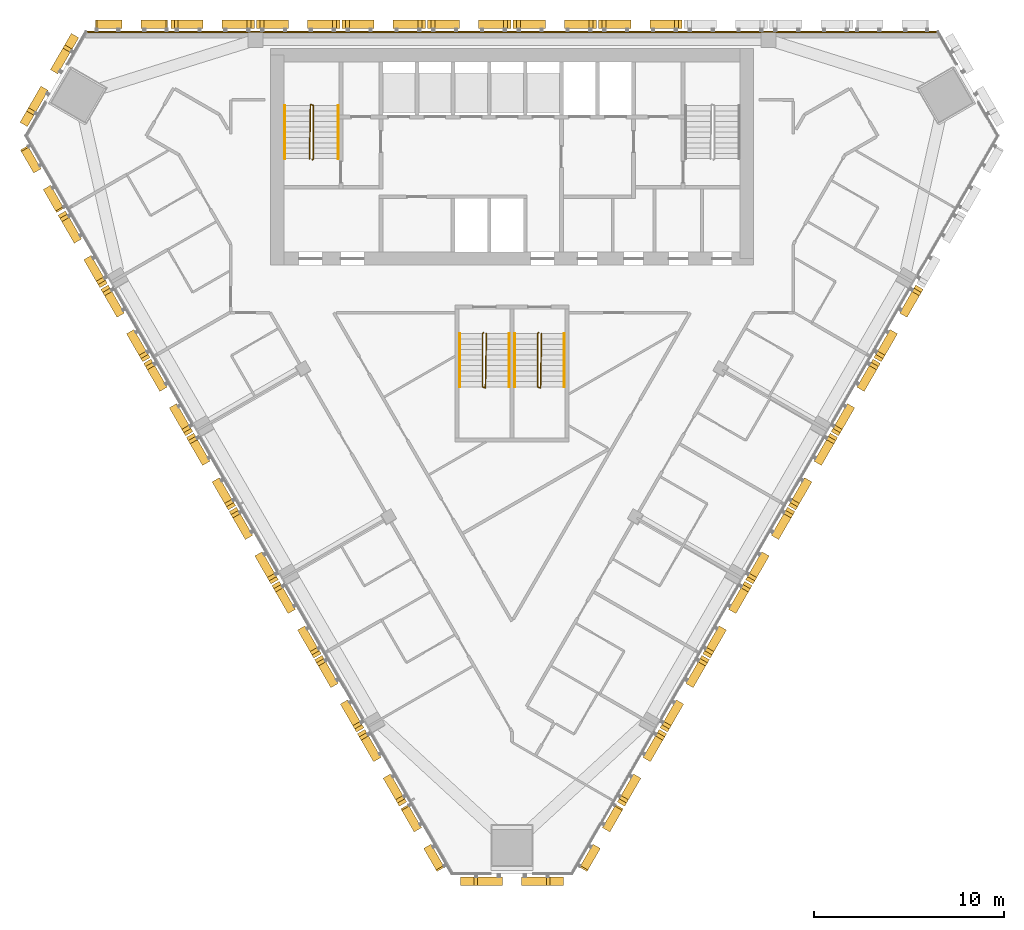
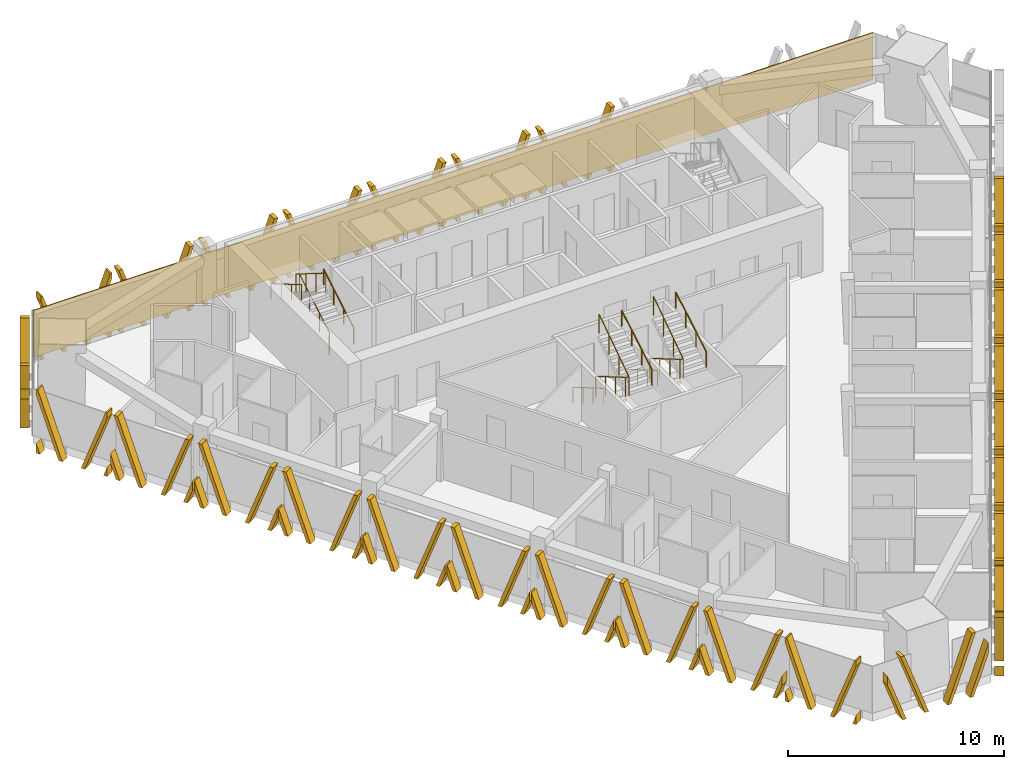
# One storey, part 14 of 16: 27 shading devices, 9 railings, 1 covering.
"""IFC4 building model written with IfcOpenShell, lengths in metres."""

import ifcopenshell
import ifcopenshell.guid

model = None  # the IFC model being written
_history = None  # IfcOwnerHistory: only IFC2X3 demands one
_inside = {}  # id of a spatial element -> (the spatial element, [elements in it])
_under = {}  # id of a project, library or spatial element -> (it, [spatial elements below it])
_declared = {}  # id of a project -> (the project, [libraries it declares])
_typed = {}  # id of a type object -> (the type object, [elements of that type])
_made_of = {}  # id of a material, layer set ... -> (it, [elements and type objects made of it])


def new_model(schema):
    """Start an empty IFC model of exactly this schema.

    Asked for "IFC4X3", IfcOpenShell would pick the latest addendum, in which some entities
    have other attributes; the version numbers below select the first issue.
    IFC2X3 requires an IfcOwnerHistory on every rooted entity: one is made here for all.
    """
    global model, _history
    if schema == "IFC4X3":
        model = ifcopenshell.file(schema_version=(4, 3, 0, 0))
    else:
        model = ifcopenshell.file(schema=schema)
    _inside.clear()
    _under.clear()
    _declared.clear()
    _typed.clear()
    _made_of.clear()
    _history = None
    if model.schema == "IFC2X3":
        org = make("IfcOrganization", Name="unknown")
        user = make(
            "IfcPersonAndOrganization",
            ThePerson=make("IfcPerson", FamilyName="unknown"),
            TheOrganization=org,
        )
        app = make(
            "IfcApplication",
            ApplicationDeveloper=org,
            Version="unknown",
            ApplicationFullName="unknown",
            ApplicationIdentifier="unknown",
        )
        _history = make(
            "IfcOwnerHistory",
            OwningUser=user,
            OwningApplication=app,
            ChangeAction="ADDED",
            CreationDate=0,
        )
    return model


def make(cls, **values):
    """One entity of the class cls with the attributes given. An attribute that is None is left unset."""
    return model.create_entity(
        cls, **{name: value for name, value in values.items() if value is not None}
    )


def rooted(cls, **values):
    """An entity with a GlobalId (a new one), such as an element, a storey or a relation."""
    return make(cls, GlobalId=ifcopenshell.guid.new(), OwnerHistory=_history, **values)


def si_unit(unit_type, name, prefix=None):
    """IfcSIUnit, for example si_unit("LENGTHUNIT", "METRE", prefix="MILLI")."""
    return make("IfcSIUnit", UnitType=unit_type, Prefix=prefix, Name=name)


def assignment(units):
    """IfcUnitAssignment: the units of a project."""
    return None if units is None else make("IfcUnitAssignment", Units=units)


def point(xyz):
    """IfcCartesianPoint."""
    return None if xyz is None else make("IfcCartesianPoint", Coordinates=xyz)


def direction(xyz):
    """IfcDirection."""
    return None if xyz is None else make("IfcDirection", DirectionRatios=xyz)


def frame(location, z_axis=None, x_axis=None):
    """IfcAxis2Placement3D, a coordinate frame: its origin and axes. An axis left out is left unset."""
    return make(
        "IfcAxis2Placement3D",
        Location=point(location),
        Axis=direction(z_axis),
        RefDirection=direction(x_axis),
    )


def frame_2d(location, x_axis=None):
    """IfcAxis2Placement2D, a coordinate frame in the plane: its origin and x axis."""
    return make(
        "IfcAxis2Placement2D", Location=point(location), RefDirection=direction(x_axis)
    )


def origin():
    """The frame at (0, 0, 0) with its axes left unset."""
    return frame((0.0, 0.0, 0.0))


def origin_2d():
    """The frame at (0, 0) in the plane with its x axis left unset."""
    return frame_2d((0.0, 0.0))


def place(relative_to, where):
    """IfcLocalPlacement: puts the frame where relative to a parent placement (None: the world)."""
    return make(
        "IfcLocalPlacement", PlacementRelTo=relative_to, RelativePlacement=where
    )


def context(
    kind, dimensions, precision=None, world=None, true_north=None, identifier=None
):
    """IfcGeometricRepresentationContext, for example the 3D "Model" context."""
    return make(
        "IfcGeometricRepresentationContext",
        ContextIdentifier=identifier,
        ContextType=kind,
        CoordinateSpaceDimension=dimensions,
        Precision=precision,
        WorldCoordinateSystem=world,
        TrueNorth=true_north,
    )


def subcontext(parent, identifier, kind, view, scale=None):
    """IfcGeometricRepresentationSubContext, for example "Body" below "Model"."""
    return make(
        "IfcGeometricRepresentationSubContext",
        ContextIdentifier=identifier,
        ContextType=kind,
        ParentContext=parent,
        TargetScale=scale,
        TargetView=view,
    )


def project(units=None, contexts=None):
    """IfcProject with its units and contexts."""
    return rooted(
        "IfcProject",
        Name="project",
        RepresentationContexts=contexts,
        UnitsInContext=assignment(units),
    )


def spatial(cls, under=None, at=None, **own):
    """A site, building, storey or space (cls), placed at a placement, below another one or the project."""
    s = rooted(cls, ObjectPlacement=at, **own)
    if under is not None:
        _under.setdefault(under.id(), (under, []))[1].append(s)
    return s


def polyline(points):
    """IfcPolyline through the points."""
    return make("IfcPolyline", Points=[point(p) for p in points])


def profile(cls, at=None, kind="AREA", **sizes):
    """A parametric profile (cls). Its sizes go by their IFC names, for example OverallWidth=200.0."""
    return make(cls, ProfileType=kind, Position=at, **sizes)


def rectangle(**sizes):
    """IfcRectangleProfileDef."""
    return profile("IfcRectangleProfileDef", **sizes)


def circle(**sizes):
    """IfcCircleProfileDef."""
    return profile("IfcCircleProfileDef", **sizes)


def outline(outer, holes=None, kind="AREA"):
    """IfcArbitraryClosedProfileDef: a profile drawn as a closed curve; with holes, ...WithVoids."""
    if holes is None:
        return make("IfcArbitraryClosedProfileDef", ProfileType=kind, OuterCurve=outer)
    return make(
        "IfcArbitraryProfileDefWithVoids",
        ProfileType=kind,
        OuterCurve=outer,
        InnerCurves=holes,
    )


def extrude(swept, where, along, depth):
    """IfcExtrudedAreaSolid: the profile swept, set in the frame where, extruded along a direction by depth."""
    return make(
        "IfcExtrudedAreaSolid",
        SweptArea=swept,
        Position=where,
        ExtrudedDirection=direction(along),
        Depth=depth,
    )


def shape(context_of_items, identifier, shape_type, items):
    """IfcShapeRepresentation: the items that make up one representation, for example the "Body"."""
    return make(
        "IfcShapeRepresentation",
        ContextOfItems=context_of_items,
        RepresentationIdentifier=identifier,
        RepresentationType=shape_type,
        Items=items,
    )


def source(mapping_origin, context_of_items, identifier, shape_type, items):
    """IfcRepresentationMap: a shape defined once, which mapped items show again and again."""
    return make(
        "IfcRepresentationMap",
        MappingOrigin=mapping_origin,
        MappedRepresentation=shape(context_of_items, identifier, shape_type, items),
    )


def transform(
    local_origin,
    x_axis=None,
    y_axis=None,
    z_axis=None,
    scale=None,
    scale2=None,
    scale3=None,
    uniform=True,
):
    """IfcCartesianTransformationOperator3D, or its non-uniform kind. x_axis, y_axis, z_axis: its Axis1, 2, 3."""
    if uniform:
        return make(
            "IfcCartesianTransformationOperator3D",
            Axis1=direction(x_axis),
            Axis2=direction(y_axis),
            LocalOrigin=point(local_origin),
            Scale=scale,
            Axis3=direction(z_axis),
        )
    return make(
        "IfcCartesianTransformationOperator3DnonUniform",
        Axis1=direction(x_axis),
        Axis2=direction(y_axis),
        LocalOrigin=point(local_origin),
        Scale=scale,
        Axis3=direction(z_axis),
        Scale2=scale2,
        Scale3=scale3,
    )


def mapped(mapping_source, mapping_target):
    """IfcMappedItem: shows the shape of a source again, moved by a transform."""
    return make(
        "IfcMappedItem", MappingSource=mapping_source, MappingTarget=mapping_target
    )


def material(Name=None, Category=None):
    """IfcMaterial."""
    return make("IfcMaterial", Name=Name, Category=Category)


def layer(
    of_material, thickness, ventilated=None, Name=None, Category=None, Priority=None
):
    """IfcMaterialLayer: one layer of a wall or slab, of a material (None: an air gap)."""
    return make(
        "IfcMaterialLayer",
        Material=of_material,
        LayerThickness=thickness,
        IsVentilated=ventilated,
        Name=Name,
        Category=Category,
        Priority=Priority,
    )


def layer_set(layers, Name=None):
    """IfcMaterialLayerSet."""
    return make("IfcMaterialLayerSet", MaterialLayers=layers, LayerSetName=Name)


def made_of(thing, what):
    """Note that an element or type object is made of a material, layer set ...; save() writes the relation."""
    if what is not None:
        _made_of.setdefault(what.id(), (what, []))[1].append(thing)
    return thing


def type_object(cls, material=None, **own):
    """A type object (cls), such as IfcWallType, which elements share."""
    return made_of(rooted(cls, **own), material)


def element(
    cls,
    number,
    at=None,
    inside=None,
    cuts=None,
    type_object=None,
    material=None,
    context=None,
    identifier="Body",
    shape_type=None,
    held_by="IfcProductDefinitionShape",
    body=None,
    shapes=None,
    **own,
):
    """One element of the class cls, such as IfcWall. Its Tag is "e" and its number.

    at: its placement. inside: the storey or other place that contains it. cuts: it is an
    opening in that element (IfcRelVoidsElement). A single representation is given by context,
    identifier, shape_type and body (its items); several are given by shapes. held_by: the class
    of the entity that holds the representations. save() writes the other relations.
    """
    e = rooted(cls, Tag="e%d" % number, ObjectPlacement=at, **own)
    if body is not None:
        shapes = [shape(context, identifier, shape_type, body)]
    if shapes is not None:
        e.Representation = make(held_by, Representations=shapes)
    if inside is not None:
        _inside.setdefault(inside.id(), (inside, []))[1].append(e)
    if cuts is not None:
        rooted(
            "IfcRelVoidsElement", RelatingBuildingElement=cuts, RelatedOpeningElement=e
        )
    if type_object is not None:
        _typed.setdefault(type_object.id(), (type_object, []))[1].append(e)
    return made_of(e, material)


def aggregate(whole, parts):
    """IfcRelAggregates: a whole, such as a stair, and the parts it consists of."""
    return rooted("IfcRelAggregates", RelatingObject=whole, RelatedObjects=parts)


def save(model, path):
    """Write the relations noted so far, then the file.

    IfcRelAggregates (storeys below a building ...), IfcRelContainedInSpatialStructure (elements
    in a storey), IfcRelDefinesByType, IfcRelAssociatesMaterial and IfcRelDeclares: one each for
    every whole, place, type object, material and project.
    """
    for whole, parts in _under.values():
        aggregate(whole, parts)
    for where, things in _inside.values():
        rooted(
            "IfcRelContainedInSpatialStructure",
            RelatedElements=things,
            RelatingStructure=where,
        )
    for kind, things in _typed.values():
        rooted("IfcRelDefinesByType", RelatedObjects=things, RelatingType=kind)
    for what, things in _made_of.values():
        rooted("IfcRelAssociatesMaterial", RelatedObjects=things, RelatingMaterial=what)
    for by, libraries in _declared.values():
        rooted("IfcRelDeclares", RelatingContext=by, RelatedDefinitions=libraries)
    model.write(path)


model = new_model("IFC4")

# Units and contexts
model_context = context("Model", 3, precision=1e-05, world=origin(), true_north=direction((0.0, 1.0)))
body_context = subcontext(model_context, "Body", "Model", "MODEL_VIEW")
ifc_project = project(units=[si_unit("LENGTHUNIT", "METRE"), si_unit("AREAUNIT", "SQUARE_METRE"), si_unit("VOLUMEUNIT", "CUBIC_METRE"), si_unit("PLANEANGLEUNIT", "RADIAN"), si_unit("MASSUNIT", "GRAM", prefix="KILO")], contexts=[model_context])

# Site, building, storey
site_placement = place(None, origin())
site = spatial("IfcSite", under=ifc_project, at=site_placement, CompositionType="ELEMENT")
building_placement = place(site_placement, origin())
building = spatial("IfcBuilding", under=site, at=building_placement, Name="Altiplano Prism Tower", CompositionType="ELEMENT")
storey_placement = place(building_placement, frame((0.0, 0.0, 198.0)))
storey = spatial("IfcBuildingStorey", under=building, at=storey_placement, Name="L51", CompositionType="ELEMENT", Elevation=198.0)

# Railings
ifc_material_1 = material(Name="Steel S355", Category="steel")
railing_type_1 = type_object("IfcRailingType", Name="Stair guard 1100", PredefinedType="GUARDRAIL", material=ifc_material_1)
railing_1_placement = place(storey_placement, frame((74.5, 98.25, 0.0)))
element("IfcRailing", 1, at=railing_1_placement, inside=storey, type_object=railing_type_1, Name="L51 ST1 stair guard 1", PredefinedType="GUARDRAIL", context=body_context, shape_type="SweptSolid", body=[
    extrude(circle(Radius=0.02392578125, at=origin_2d()), frame((0.0, 0.0, 1.076171875), z_axis=(0.280808744504, 0.280808744504, 0.917765164963), x_axis=(-0.707106781187, 0.707106781187, 0.0)), (0.0, 0.0, 1.0), 0.17822265625),
    extrude(circle(Radius=0.02392578125, at=origin_2d()), frame((0.050048828125, 0.050048828125, 1.23974609375), z_axis=(0.0, 0.863360870873, 0.504586966384), x_axis=(-1.0, 0.0, 0.0)), (0.0, 0.0, 1.0), 3.2431640625),
    extrude(circle(Radius=0.02392578125, at=origin_2d()), frame((0.050048828125, 2.85009765625, 2.8759765625), z_axis=(-0.949145278916, 0.314838433982, 0.0), x_axis=(-0.314838433982, -0.949145278916, 0.0)), (0.0, 0.0, 1.0), 0.158203125),
    extrude(circle(Radius=0.02392578125, at=origin_2d()), frame((-0.10009765625, 2.89990234375, 2.8759765625), z_axis=(-0.01477401265, -0.845377694409, 0.533964682676), x_axis=(0.999847325713, -0.01747355902, 0.0)), (0.0, 0.0, 1.0), 3.37109375),
    extrude(circle(Radius=0.02099609375, at=origin_2d()), origin(), (0.0, 0.0, 1.0), 1.052001953125),
    extrude(circle(Radius=0.02099609375, at=origin_2d()), frame((0.050048828125, 0.050048828125, 0.16357421875)), (0.0, 0.0, 1.0), 1.052001953125),
    extrude(circle(Radius=0.02099609375, at=origin_2d()), frame((0.050048828125, 0.9833984375, 0.708984375)), (0.0, 0.0, 1.0), 1.052001953125),
    extrude(circle(Radius=0.02099609375, at=origin_2d()), frame((0.050048828125, 1.916748046875, 1.254638671875)), (0.0, 0.0, 1.0), 1.052001953125),
    extrude(circle(Radius=0.02099609375, at=origin_2d()), frame((0.050048828125, 2.85009765625, 1.800048828125)), (0.0, 0.0, 1.0), 1.052001953125),
    extrude(circle(Radius=0.02099609375, at=origin_2d()), frame((-0.10009765625, 2.89990234375, 1.800048828125)), (0.0, 0.0, 1.0), 1.052001953125),
    extrude(circle(Radius=0.02099609375, at=origin_2d()), frame((-0.11669921875, 1.949951171875, 2.400146484375)), (0.0, 0.0, 1.0), 1.052001953125),
    extrude(circle(Radius=0.02099609375, at=origin_2d()), frame((-0.13330078125, 1.0, 3.0)), (0.0, 0.0, 1.0), 1.052001953125),
    extrude(circle(Radius=0.02099609375, at=origin_2d()), frame((-0.14990234375, 0.050048828125, 3.60009765625)), (0.0, 0.0, 1.0), 1.052001953125),
])
railing_2_placement = place(storey_placement, frame((83.5, 89.14990234375, 0.0)))
element("IfcRailing", 2, at=railing_2_placement, inside=storey, type_object=railing_type_1, Name="L51 ST3A stair guard 1", PredefinedType="GUARDRAIL", context=body_context, shape_type="SweptSolid", body=[
    extrude(circle(Radius=0.02392578125, at=origin_2d()), frame((0.0, 0.0, 1.076171875), z_axis=(-0.280916556609, -0.279546231943, 0.91811752648), x_axis=(0.705375805398, -0.708833529934, 0.0)), (0.0, 0.0, 1.0), 0.17822265625),
    extrude(circle(Radius=0.02392578125, at=origin_2d()), frame((-0.050048828125, -0.0498046875, 1.23974609375), z_axis=(0.0, -0.863360870873, 0.504586966384), x_axis=(1.0, 0.0, 0.0)), (0.0, 0.0, 1.0), 3.2431640625),
    extrude(circle(Radius=0.02392578125, at=origin_2d()), frame((-0.050048828125, -2.849853515625, 2.8759765625), z_axis=(0.948683298051, -0.316227766017, 0.0), x_axis=(0.316227766017, 0.948683298051, 0.0)), (0.0, 0.0, 1.0), 0.158203125),
    extrude(circle(Radius=0.02392578125, at=origin_2d()), frame((0.10009765625, -2.89990234375, 2.8759765625), z_axis=(0.014773108175, 0.84539835705, 0.533931993021), x_axis=(-0.999847351862, 0.017472062685, 0.0)), (0.0, 0.0, 1.0), 3.371337890625),
    extrude(circle(Radius=0.02099609375, at=origin_2d()), origin(), (0.0, 0.0, 1.0), 1.052001953125),
    extrude(circle(Radius=0.02099609375, at=origin_2d()), frame((-0.050048828125, -0.0498046875, 0.16357421875)), (0.0, 0.0, 1.0), 1.052001953125),
    extrude(circle(Radius=0.02099609375, at=origin_2d()), frame((-0.050048828125, -0.983154296875, 0.708984375)), (0.0, 0.0, 1.0), 1.052001953125),
    extrude(circle(Radius=0.02099609375, at=origin_2d()), frame((-0.050048828125, -1.91650390625, 1.254638671875)), (0.0, 0.0, 1.0), 1.052001953125),
    extrude(circle(Radius=0.02099609375, at=origin_2d()), frame((-0.050048828125, -2.849853515625, 1.800048828125)), (0.0, 0.0, 1.0), 1.052001953125),
    extrude(circle(Radius=0.02099609375, at=origin_2d()), frame((0.10009765625, -2.89990234375, 1.800048828125)), (0.0, 0.0, 1.0), 1.052001953125),
    extrude(circle(Radius=0.02099609375, at=origin_2d()), frame((0.11669921875, -1.949951171875, 2.400146484375)), (0.0, 0.0, 1.0), 1.052001953125),
    extrude(circle(Radius=0.02099609375, at=origin_2d()), frame((0.13330078125, -0.999755859375, 3.0)), (0.0, 0.0, 1.0), 1.052001953125),
    extrude(circle(Radius=0.02099609375, at=origin_2d()), frame((0.14990234375, -0.0498046875, 3.60009765625)), (0.0, 0.0, 1.0), 1.052001953125),
])
railing_3_placement = place(storey_placement, frame((86.39990234375, 89.14990234375, 0.0)))
element("IfcRailing", 3, at=railing_3_placement, inside=storey, type_object=railing_type_1, Name="L51 ST3B stair guard 1", PredefinedType="GUARDRAIL", context=body_context, shape_type="SweptSolid", body=[
    extrude(circle(Radius=0.02392578125, at=origin_2d()), frame((0.0, 0.0, 1.076171875), z_axis=(-0.279653641804, -0.279653641804, 0.918470294159), x_axis=(0.707106781187, -0.707106781187, 0.0)), (0.0, 0.0, 1.0), 0.177978515625),
    extrude(circle(Radius=0.02392578125, at=origin_2d()), frame((-0.0498046875, -0.0498046875, 1.23974609375), z_axis=(0.0, -0.863360870873, 0.504586966384), x_axis=(1.0, 0.0, 0.0)), (0.0, 0.0, 1.0), 3.2431640625),
    extrude(circle(Radius=0.02392578125, at=origin_2d()), frame((-0.0498046875, -2.849853515625, 2.8759765625), z_axis=(0.948528701346, -0.316691178788, 0.0), x_axis=(0.316691178788, 0.948528701346, 0.0)), (0.0, 0.0, 1.0), 0.157958984375),
    extrude(circle(Radius=0.02392578125, at=origin_2d()), frame((0.10009765625, -2.89990234375, 2.8759765625), z_axis=(0.014845509451, 0.845397450405, 0.533931420407), x_axis=(-0.999845851991, 0.017557683712, 0.0)), (0.0, 0.0, 1.0), 3.371337890625),
    extrude(circle(Radius=0.02099609375, at=origin_2d()), origin(), (0.0, 0.0, 1.0), 1.052001953125),
    extrude(circle(Radius=0.02099609375, at=origin_2d()), frame((-0.0498046875, -0.0498046875, 0.16357421875)), (0.0, 0.0, 1.0), 1.052001953125),
    extrude(circle(Radius=0.02099609375, at=origin_2d()), frame((-0.0498046875, -0.983154296875, 0.708984375)), (0.0, 0.0, 1.0), 1.052001953125),
    extrude(circle(Radius=0.02099609375, at=origin_2d()), frame((-0.0498046875, -1.91650390625, 1.254638671875)), (0.0, 0.0, 1.0), 1.052001953125),
    extrude(circle(Radius=0.02099609375, at=origin_2d()), frame((-0.0498046875, -2.849853515625, 1.800048828125)), (0.0, 0.0, 1.0), 1.052001953125),
    extrude(circle(Radius=0.02099609375, at=origin_2d()), frame((0.10009765625, -2.89990234375, 1.800048828125)), (0.0, 0.0, 1.0), 1.052001953125),
    extrude(circle(Radius=0.02099609375, at=origin_2d()), frame((0.11669921875, -1.949951171875, 2.400146484375)), (0.0, 0.0, 1.0), 1.052001953125),
    extrude(circle(Radius=0.02099609375, at=origin_2d()), frame((0.133544921875, -0.999755859375, 3.0)), (0.0, 0.0, 1.0), 1.052001953125),
    extrude(circle(Radius=0.02099609375, at=origin_2d()), frame((0.150146484375, -0.0498046875, 3.60009765625)), (0.0, 0.0, 1.0), 1.052001953125),
])
railing_type_2 = type_object("IfcRailingType", Name="Stair handrail 900", PredefinedType="HANDRAIL", material=ifc_material_1)
railing_4_placement = place(storey_placement, frame((75.85009765625, 98.300048828125, 0.16357421875)))
element("IfcRailing", 4, at=railing_4_placement, inside=storey, type_object=railing_type_2, Name="L51 ST1 stair handrail 1", PredefinedType="HANDRAIL", context=body_context, shape_type="SweptSolid", body=[
    extrude(circle(Radius=0.02392578125, at=origin_2d()), frame((0.0, 0.0, 0.8759765625), z_axis=(0.0, 0.863360870873, 0.504586966384), x_axis=(-1.0, 0.0, 0.0)), (0.0, 0.0, 1.0), 3.2431640625),
    extrude(circle(Radius=0.02099609375, at=origin_2d()), origin(), (0.0, 0.0, 1.0), 0.851806640625),
    extrude(circle(Radius=0.02099609375, at=origin_2d()), frame((0.0, 0.933349609375, 0.54541015625)), (0.0, 0.0, 1.0), 0.851806640625),
    extrude(circle(Radius=0.02099609375, at=origin_2d()), frame((0.0, 1.86669921875, 1.091064453125)), (0.0, 0.0, 1.0), 0.851806640625),
    extrude(circle(Radius=0.02099609375, at=origin_2d()), frame((0.0, 2.800048828125, 1.636474609375)), (0.0, 0.0, 1.0), 0.851806640625),
])
for number, where, name in (
    (5, (73.050048828125, 101.10009765625, 1.963623046875), "L51 ST1 stair handrail 2"),
    (6, (82.25, 89.10009765625, 0.16357421875), "L51 ST3A stair handrail 1"),
):
    element("IfcRailing", number, at=place(storey_placement, frame(where)), inside=storey, type_object=railing_type_2, Name=name, PredefinedType="HANDRAIL", context=body_context, shape_type="SweptSolid", body=[
        extrude(circle(Radius=0.02392578125, at=origin_2d()), frame((0.0, 0.0, 0.8759765625), z_axis=(0.0, -0.863360870873, 0.504586966384), x_axis=(1.0, 0.0, 0.0)), (0.0, 0.0, 1.0), 3.2431640625),
        extrude(circle(Radius=0.02099609375, at=origin_2d()), origin(), (0.0, 0.0, 1.0), 0.851806640625),
        extrude(circle(Radius=0.02099609375, at=origin_2d()), frame((0.0, -0.933349609375, 0.54541015625)), (0.0, 0.0, 1.0), 0.851806640625),
        extrude(circle(Radius=0.02099609375, at=origin_2d()), frame((0.0, -1.86669921875, 1.091064453125)), (0.0, 0.0, 1.0), 0.851806640625),
        extrude(circle(Radius=0.02099609375, at=origin_2d()), frame((0.0, -2.800048828125, 1.636474609375)), (0.0, 0.0, 1.0), 0.851806640625),
    ])
railing_5_placement = place(storey_placement, frame((84.85009765625, 86.300048828125, 1.963623046875)))
element("IfcRailing", 7, at=railing_5_placement, inside=storey, type_object=railing_type_2, Name="L51 ST3A stair handrail 2", PredefinedType="HANDRAIL", context=body_context, shape_type="SweptSolid", body=[
    extrude(circle(Radius=0.02392578125, at=origin_2d()), frame((0.0, 0.0, 0.8759765625), z_axis=(0.0, 0.863360870873, 0.504586966384), x_axis=(-1.0, 0.0, 0.0)), (0.0, 0.0, 1.0), 3.2431640625),
    extrude(circle(Radius=0.02099609375, at=origin_2d()), origin(), (0.0, 0.0, 1.0), 0.851806640625),
    extrude(circle(Radius=0.02099609375, at=origin_2d()), frame((0.0, 0.933349609375, 0.54541015625)), (0.0, 0.0, 1.0), 0.851806640625),
    extrude(circle(Radius=0.02099609375, at=origin_2d()), frame((0.0, 1.86669921875, 1.091064453125)), (0.0, 0.0, 1.0), 0.851806640625),
    extrude(circle(Radius=0.02099609375, at=origin_2d()), frame((0.0, 2.800048828125, 1.636474609375)), (0.0, 0.0, 1.0), 0.851806640625),
])
railing_6_placement = place(storey_placement, frame((85.14990234375, 89.10009765625, 0.16357421875)))
element("IfcRailing", 8, at=railing_6_placement, inside=storey, type_object=railing_type_2, Name="L51 ST3B stair handrail 1", PredefinedType="HANDRAIL", context=body_context, shape_type="SweptSolid", body=[
    extrude(circle(Radius=0.02392578125, at=origin_2d()), frame((0.0, 0.0, 0.8759765625), z_axis=(0.0, -0.863360870873, 0.504586966384), x_axis=(1.0, 0.0, 0.0)), (0.0, 0.0, 1.0), 3.2431640625),
    extrude(circle(Radius=0.02099609375, at=origin_2d()), origin(), (0.0, 0.0, 1.0), 0.851806640625),
    extrude(circle(Radius=0.02099609375, at=origin_2d()), frame((0.0, -0.933349609375, 0.54541015625)), (0.0, 0.0, 1.0), 0.851806640625),
    extrude(circle(Radius=0.02099609375, at=origin_2d()), frame((0.0, -1.86669921875, 1.091064453125)), (0.0, 0.0, 1.0), 0.851806640625),
    extrude(circle(Radius=0.02099609375, at=origin_2d()), frame((0.0, -2.800048828125, 1.636474609375)), (0.0, 0.0, 1.0), 0.851806640625),
])
railing_7_placement = place(storey_placement, frame((87.75, 86.300048828125, 1.963623046875)))
element("IfcRailing", 9, at=railing_7_placement, inside=storey, type_object=railing_type_2, Name="L51 ST3B stair handrail 2", PredefinedType="HANDRAIL", context=body_context, shape_type="SweptSolid", body=[
    extrude(circle(Radius=0.02392578125, at=origin_2d()), frame((0.0, 0.0, 0.8759765625), z_axis=(0.0, 0.863360870873, 0.504586966384), x_axis=(-1.0, 0.0, 0.0)), (0.0, 0.0, 1.0), 3.2431640625),
    extrude(circle(Radius=0.02099609375, at=origin_2d()), origin(), (0.0, 0.0, 1.0), 0.851806640625),
    extrude(circle(Radius=0.02099609375, at=origin_2d()), frame((0.0, 0.933349609375, 0.54541015625)), (0.0, 0.0, 1.0), 0.851806640625),
    extrude(circle(Radius=0.02099609375, at=origin_2d()), frame((0.0, 1.86669921875, 1.091064453125)), (0.0, 0.0, 1.0), 0.851806640625),
    extrude(circle(Radius=0.02099609375, at=origin_2d()), frame((0.0, 2.800048828125, 1.636474609375)), (0.0, 0.0, 1.0), 0.851806640625),
])

# Covering
ifc_material_2 = material(Name="Warm limestone cast stone", Category="masonry")
ifc_layer = layer(ifc_material_2, 0.06005859375)
ifc_layer_set = layer_set([ifc_layer], Name="Warm limestone cast stone")
covering_type = type_object("IfcCoveringType", Name="Stone cladding 60", PredefinedType="CLADDING", material=ifc_layer_set)
covering_placement = place(storey_placement, frame((62.56982421875, 104.969970703125, 0.0), z_axis=(0.0, 0.0, 1.0), x_axis=(1.0, 0.0, 0.0)))
element("IfcCovering", 10, at=covering_placement, inside=storey, type_object=covering_type, Name="Stone cladding north face L51", PredefinedType="CLADDING", context=body_context, shape_type="SweptSolid", body=[
    extrude(rectangle(XDim=44.8603515625, YDim=0.06005859375, at=frame_2d((22.43017578125, 0.0))), origin(), (0.0, 0.0, 1.0), 2.64990234375),
])

# Shading devices
shading_device_type_1 = type_object("IfcShadingDeviceType", Name="Stone fin panel, standard unit", PredefinedType="USERDEFINED", material=ifc_material_2)
shared_shape_1 = source(origin(), body_context, "Body", "SweptSolid", [
    extrude(outline(polyline([(-2.199951171875, 1.373779296875), (-2.199951171875, 0.82421875), (-1.89990234375, 0.0), (-1.699951171875, 0.0), (-2.199951171875, 1.373779296875)])), frame((0.0, -0.14990234375, 0.0), z_axis=(0.0, -1.0, 0.0), x_axis=(1.0, 0.0, 0.0)), (0.0, 0.0, 1.0), 0.4501953125),
    extrude(outline(polyline([(-2.01025390625, 3.60009765625), (-0.699951171875, 0.0), (-0.5, 0.0), (-1.810302734375, 3.60009765625), (-2.01025390625, 3.60009765625)])), frame((0.0, -0.14990234375, 0.0), z_axis=(0.0, -1.0, 0.0), x_axis=(1.0, 0.0, 0.0)), (0.0, 0.0, 1.0), 0.4501953125),
    extrude(outline(polyline([(1.810302734375, 3.60009765625), (0.5, 0.0), (0.699951171875, 0.0), (2.01025390625, 3.60009765625), (1.810302734375, 3.60009765625)])), frame((0.0, -0.14990234375, 0.0), z_axis=(0.0, -1.0, 0.0), x_axis=(1.0, 0.0, 0.0)), (0.0, 0.0, 1.0), 0.4501953125),
    extrude(outline(polyline([(2.199951171875, 0.82421875), (2.199951171875, 1.373779296875), (1.699951171875, 0.0), (1.89990234375, 0.0), (2.199951171875, 0.82421875)])), frame((0.0, -0.14990234375, 0.0), z_axis=(0.0, -1.0, 0.0), x_axis=(1.0, 0.0, 0.0)), (0.0, 0.0, 1.0), 0.4501953125),
])
shading_device_1_placement = place(storey_placement, origin())
element("IfcShadingDevice", 11, at=shading_device_1_placement, inside=storey, type_object=shading_device_type_1, Name="Fin L51 north face 4", ObjectType="FIN", PredefinedType="USERDEFINED", context=body_context, shape_type="MappedRepresentation", body=[
    mapped(shared_shape_1, transform((91.75, 105.0, -0.449951171875), x_axis=(-1.0, 0.0, 0.0), y_axis=(0.0, -1.0, 0.0), z_axis=(0.0, 0.0, 1.0))),
])
shading_device_2_placement = place(storey_placement, origin())
element("IfcShadingDevice", 12, at=shading_device_2_placement, inside=storey, type_object=shading_device_type_1, Name="Fin L51 north face 5", ObjectType="FIN", PredefinedType="USERDEFINED", context=body_context, shape_type="MappedRepresentation", body=[
    mapped(shared_shape_1, transform((87.25, 105.0, -0.449951171875), x_axis=(-1.0, 0.0, 0.0), y_axis=(0.0, -1.0, 0.0), z_axis=(0.0, 0.0, 1.0))),
])
shading_device_3_placement = place(storey_placement, origin())
element("IfcShadingDevice", 13, at=shading_device_3_placement, inside=storey, type_object=shading_device_type_1, Name="Fin L51 north face 6", ObjectType="FIN", PredefinedType="USERDEFINED", context=body_context, shape_type="MappedRepresentation", body=[
    mapped(shared_shape_1, transform((82.75, 105.0, -0.449951171875), x_axis=(-1.0, 0.0, 0.0), y_axis=(0.0, -1.0, 0.0), z_axis=(0.0, 0.0, 1.0))),
])
shading_device_4_placement = place(storey_placement, origin())
element("IfcShadingDevice", 14, at=shading_device_4_placement, inside=storey, type_object=shading_device_type_1, Name="Fin L51 north face 7", ObjectType="FIN", PredefinedType="USERDEFINED", context=body_context, shape_type="MappedRepresentation", body=[
    mapped(shared_shape_1, transform((78.25, 105.0, -0.449951171875), x_axis=(-1.0, 0.0, 0.0), y_axis=(0.0, -1.0, 0.0), z_axis=(0.0, 0.0, 1.0))),
])
shading_device_5_placement = place(storey_placement, origin())
element("IfcShadingDevice", 15, at=shading_device_5_placement, inside=storey, type_object=shading_device_type_1, Name="Fin L51 north face 8", ObjectType="FIN", PredefinedType="USERDEFINED", context=body_context, shape_type="MappedRepresentation", body=[
    mapped(shared_shape_1, transform((73.75, 105.0, -0.449951171875), x_axis=(-1.0, 0.0, 0.0), y_axis=(0.0, -1.0, 0.0), z_axis=(0.0, 0.0, 1.0))),
])
shading_device_6_placement = place(storey_placement, origin())
element("IfcShadingDevice", 16, at=shading_device_6_placement, inside=storey, type_object=shading_device_type_1, Name="Fin L51 north face 9", ObjectType="FIN", PredefinedType="USERDEFINED", context=body_context, shape_type="MappedRepresentation", body=[
    mapped(shared_shape_1, transform((69.25, 105.0, -0.449951171875), x_axis=(-1.0, 0.0, 0.0), y_axis=(0.0, -1.0, 0.0), z_axis=(0.0, 0.0, 1.0))),
])
shading_device_7_placement = place(storey_placement, origin())
element("IfcShadingDevice", 17, at=shading_device_7_placement, inside=storey, type_object=shading_device_type_1, Name="Fin L51 south-west face 2", ObjectType="FIN", PredefinedType="USERDEFINED", context=body_context, shape_type="MappedRepresentation", body=[
    mapped(shared_shape_1, transform((62.738037109375, 93.720947265625, -0.449951171875), x_axis=(0.499999990992, -0.866025408985, 0.0), y_axis=(0.866025408985, 0.499999990992, 0.0), z_axis=(0.0, 0.0, 1.0))),
])
shading_device_8_placement = place(storey_placement, origin())
element("IfcShadingDevice", 18, at=shading_device_8_placement, inside=storey, type_object=shading_device_type_1, Name="Fin L51 south-west face 3", ObjectType="FIN", PredefinedType="USERDEFINED", context=body_context, shape_type="MappedRepresentation", body=[
    mapped(shared_shape_1, transform((64.988037109375, 89.82373046875, -0.449951171875), x_axis=(0.499999990992, -0.866025408985, 0.0), y_axis=(0.866025408985, 0.499999990992, 0.0), z_axis=(0.0, 0.0, 1.0))),
])
shading_device_9_placement = place(storey_placement, origin())
element("IfcShadingDevice", 19, at=shading_device_9_placement, inside=storey, type_object=shading_device_type_1, Name="Fin L51 south-west face 4", ObjectType="FIN", PredefinedType="USERDEFINED", context=body_context, shape_type="MappedRepresentation", body=[
    mapped(shared_shape_1, transform((67.238037109375, 85.926513671875, -0.449951171875), x_axis=(0.499999990992, -0.866025408985, 0.0), y_axis=(0.866025408985, 0.499999990992, 0.0), z_axis=(0.0, 0.0, 1.0))),
])
shading_device_10_placement = place(storey_placement, origin())
element("IfcShadingDevice", 20, at=shading_device_10_placement, inside=storey, type_object=shading_device_type_1, Name="Fin L51 south-west face 5", ObjectType="FIN", PredefinedType="USERDEFINED", context=body_context, shape_type="MappedRepresentation", body=[
    mapped(shared_shape_1, transform((69.488037109375, 82.029541015625, -0.449951171875), x_axis=(0.499999990992, -0.866025408985, 0.0), y_axis=(0.866025408985, 0.499999990992, 0.0), z_axis=(0.0, 0.0, 1.0))),
])
shading_device_11_placement = place(storey_placement, origin())
element("IfcShadingDevice", 21, at=shading_device_11_placement, inside=storey, type_object=shading_device_type_1, Name="Fin L51 south-west face 6", ObjectType="FIN", PredefinedType="USERDEFINED", context=body_context, shape_type="MappedRepresentation", body=[
    mapped(shared_shape_1, transform((71.738037109375, 78.13232421875, -0.449951171875), x_axis=(0.499999990992, -0.866025408985, 0.0), y_axis=(0.866025408985, 0.499999990992, 0.0), z_axis=(0.0, 0.0, 1.0))),
])
shading_device_12_placement = place(storey_placement, origin())
element("IfcShadingDevice", 22, at=shading_device_12_placement, inside=storey, type_object=shading_device_type_1, Name="Fin L51 south-west face 7", ObjectType="FIN", PredefinedType="USERDEFINED", context=body_context, shape_type="MappedRepresentation", body=[
    mapped(shared_shape_1, transform((73.988037109375, 74.2353515625, -0.449951171875), x_axis=(0.499999990992, -0.866025408985, 0.0), y_axis=(0.866025408985, 0.499999990992, 0.0), z_axis=(0.0, 0.0, 1.0))),
])
shading_device_13_placement = place(storey_placement, origin())
element("IfcShadingDevice", 23, at=shading_device_13_placement, inside=storey, type_object=shading_device_type_1, Name="Fin L51 south-west face 8", ObjectType="FIN", PredefinedType="USERDEFINED", context=body_context, shape_type="MappedRepresentation", body=[
    mapped(shared_shape_1, transform((76.238037109375, 70.338134765625, -0.449951171875), x_axis=(0.499999990992, -0.866025408985, 0.0), y_axis=(0.866025408985, 0.499999990992, 0.0), z_axis=(0.0, 0.0, 1.0))),
])
shading_device_14_placement = place(storey_placement, origin())
element("IfcShadingDevice", 24, at=shading_device_14_placement, inside=storey, type_object=shading_device_type_1, Name="Fin L51 south-west face 9", ObjectType="FIN", PredefinedType="USERDEFINED", context=body_context, shape_type="MappedRepresentation", body=[
    mapped(shared_shape_1, transform((78.488037109375, 66.441162109375, -0.449951171875), x_axis=(0.499999990992, -0.866025408985, 0.0), y_axis=(0.866025408985, 0.499999990992, 0.0), z_axis=(0.0, 0.0, 1.0))),
])
shading_device_15_placement = place(storey_placement, origin())
element("IfcShadingDevice", 25, at=shading_device_15_placement, inside=storey, type_object=shading_device_type_1, Name="Fin L51 south-east face 2", ObjectType="FIN", PredefinedType="USERDEFINED", context=body_context, shape_type="MappedRepresentation", body=[
    mapped(shared_shape_1, transform((91.511962890625, 66.441162109375, -0.449951171875), x_axis=(0.499999990992, 0.866025408985, 0.0), y_axis=(-0.866025408985, 0.499999990992, 0.0), z_axis=(0.0, 0.0, 1.0))),
])
shading_device_16_placement = place(storey_placement, origin())
element("IfcShadingDevice", 26, at=shading_device_16_placement, inside=storey, type_object=shading_device_type_1, Name="Fin L51 south-east face 3", ObjectType="FIN", PredefinedType="USERDEFINED", context=body_context, shape_type="MappedRepresentation", body=[
    mapped(shared_shape_1, transform((93.761962890625, 70.338134765625, -0.449951171875), x_axis=(0.499999990992, 0.866025408985, 0.0), y_axis=(-0.866025408985, 0.499999990992, 0.0), z_axis=(0.0, 0.0, 1.0))),
])
shading_device_17_placement = place(storey_placement, origin())
element("IfcShadingDevice", 27, at=shading_device_17_placement, inside=storey, type_object=shading_device_type_1, Name="Fin L51 south-east face 4", ObjectType="FIN", PredefinedType="USERDEFINED", context=body_context, shape_type="MappedRepresentation", body=[
    mapped(shared_shape_1, transform((96.011962890625, 74.2353515625, -0.449951171875), x_axis=(0.499999990992, 0.866025408985, 0.0), y_axis=(-0.866025408985, 0.499999990992, 0.0), z_axis=(0.0, 0.0, 1.0))),
])
shading_device_18_placement = place(storey_placement, origin())
element("IfcShadingDevice", 28, at=shading_device_18_placement, inside=storey, type_object=shading_device_type_1, Name="Fin L51 south-east face 5", ObjectType="FIN", PredefinedType="USERDEFINED", context=body_context, shape_type="MappedRepresentation", body=[
    mapped(shared_shape_1, transform((98.261962890625, 78.13232421875, -0.449951171875), x_axis=(0.499999990992, 0.866025408985, 0.0), y_axis=(-0.866025408985, 0.499999990992, 0.0), z_axis=(0.0, 0.0, 1.0))),
])
shading_device_19_placement = place(storey_placement, origin())
element("IfcShadingDevice", 29, at=shading_device_19_placement, inside=storey, type_object=shading_device_type_1, Name="Fin L51 south-east face 6", ObjectType="FIN", PredefinedType="USERDEFINED", context=body_context, shape_type="MappedRepresentation", body=[
    mapped(shared_shape_1, transform((100.511962890625, 82.029541015625, -0.449951171875), x_axis=(0.499999990992, 0.866025408985, 0.0), y_axis=(-0.866025408985, 0.499999990992, 0.0), z_axis=(0.0, 0.0, 1.0))),
])
shading_device_20_placement = place(storey_placement, origin())
element("IfcShadingDevice", 30, at=shading_device_20_placement, inside=storey, type_object=shading_device_type_1, Name="Fin L51 south-east face 7", ObjectType="FIN", PredefinedType="USERDEFINED", context=body_context, shape_type="MappedRepresentation", body=[
    mapped(shared_shape_1, transform((102.761962890625, 85.926513671875, -0.449951171875), x_axis=(0.499999990992, 0.866025408985, 0.0), y_axis=(-0.866025408985, 0.499999990992, 0.0), z_axis=(0.0, 0.0, 1.0))),
])
shading_device_21_placement = place(storey_placement, origin())
element("IfcShadingDevice", 31, at=shading_device_21_placement, inside=storey, type_object=shading_device_type_1, Name="Fin L51 south-east face 8", ObjectType="FIN", PredefinedType="USERDEFINED", context=body_context, shape_type="MappedRepresentation", body=[
    mapped(shared_shape_1, transform((105.011962890625, 89.82373046875, -0.449951171875), x_axis=(0.499999990992, 0.866025408985, 0.0), y_axis=(-0.866025408985, 0.499999990992, 0.0), z_axis=(0.0, 0.0, 1.0))),
])
shading_device_type_2 = type_object("IfcShadingDeviceType", Name="Stone fin panel, narrow closing bay", PredefinedType="USERDEFINED", material=ifc_material_2)
shared_shape_2 = source(origin(), body_context, "Body", "SweptSolid", [
    extrude(outline(polyline([(-1.89990234375, 3.60009765625), (-1.89990234375, 3.297119140625), (-0.699951171875, 0.0), (-0.5, 0.0), (-1.810302734375, 3.60009765625), (-1.89990234375, 3.60009765625)])), frame((0.0, -0.14990234375, 0.0), z_axis=(0.0, -1.0, 0.0), x_axis=(1.0, 0.0, 0.0)), (0.0, 0.0, 1.0), 0.4501953125),
    extrude(outline(polyline([(-1.89990234375, 0.549560546875), (-1.89990234375, 0.0), (-1.699951171875, 0.0), (-1.89990234375, 0.549560546875)])), frame((0.0, -0.14990234375, 0.0), z_axis=(0.0, -1.0, 0.0), x_axis=(1.0, 0.0, 0.0)), (0.0, 0.0, 1.0), 0.4501953125),
    extrude(outline(polyline([(1.810302734375, 3.60009765625), (0.5, 0.0), (0.699951171875, 0.0), (1.89990234375, 3.297119140625), (1.89990234375, 3.60009765625), (1.810302734375, 3.60009765625)])), frame((0.0, -0.14990234375, 0.0), z_axis=(0.0, -1.0, 0.0), x_axis=(1.0, 0.0, 0.0)), (0.0, 0.0, 1.0), 0.4501953125),
    extrude(outline(polyline([(1.89990234375, 0.0), (1.89990234375, 0.549560546875), (1.699951171875, 0.0), (1.89990234375, 0.0)])), frame((0.0, -0.14990234375, 0.0), z_axis=(0.0, -1.0, 0.0), x_axis=(1.0, 0.0, 0.0)), (0.0, 0.0, 1.0), 0.4501953125),
])
shading_device_22_placement = place(storey_placement, origin())
element("IfcShadingDevice", 32, at=shading_device_22_placement, inside=storey, type_object=shading_device_type_2, Name="Fin L51 north face 10", ObjectType="FIN", PredefinedType="USERDEFINED", context=body_context, shape_type="MappedRepresentation", body=[
    mapped(shared_shape_2, transform((64.98486328125, 105.0, -0.449951171875), x_axis=(-1.0, 0.0, 0.0), y_axis=(0.0, -1.0, 0.0), z_axis=(0.0, 0.0, 1.0))),
])
shading_device_23_placement = place(storey_placement, origin())
element("IfcShadingDevice", 33, at=shading_device_23_placement, inside=storey, type_object=shading_device_type_2, Name="Fin L51 south-west face 1", ObjectType="FIN", PredefinedType="USERDEFINED", context=body_context, shape_type="MappedRepresentation", body=[
    mapped(shared_shape_2, transform((60.60546875, 97.41455078125, -0.449951171875), x_axis=(0.499999990992, -0.866025408985, 0.0), y_axis=(0.866025408985, 0.499999990992, 0.0), z_axis=(0.0, 0.0, 1.0))),
])
shading_device_24_placement = place(storey_placement, origin())
element("IfcShadingDevice", 34, at=shading_device_24_placement, inside=storey, type_object=shading_device_type_2, Name="Fin L51 south-west face 10", ObjectType="FIN", PredefinedType="USERDEFINED", context=body_context, shape_type="MappedRepresentation", body=[
    mapped(shared_shape_2, transform((80.62060546875, 62.747314453125, -0.449951171875), x_axis=(0.499999990992, -0.866025408985, 0.0), y_axis=(0.866025408985, 0.499999990992, 0.0), z_axis=(0.0, 0.0, 1.0))),
])
shading_device_25_placement = place(storey_placement, origin())
element("IfcShadingDevice", 35, at=shading_device_25_placement, inside=storey, type_object=shading_device_type_2, Name="Fin L51 south-east face 1", ObjectType="FIN", PredefinedType="USERDEFINED", context=body_context, shape_type="MappedRepresentation", body=[
    mapped(shared_shape_2, transform((89.37939453125, 62.747314453125, -0.449951171875), x_axis=(0.499999990992, 0.866025408985, 0.0), y_axis=(-0.866025408985, 0.499999990992, 0.0), z_axis=(0.0, 0.0, 1.0))),
])
shading_device_type_3 = type_object("IfcShadingDeviceType", Name="Stone fin panel, chamfer unit", PredefinedType="USERDEFINED", material=ifc_material_2)
shared_shape_3 = source(origin(), body_context, "Body", "SweptSolid", [
    extrude(outline(polyline([(-2.699951171875, 2.74755859375), (-2.699951171875, 2.197998046875), (-1.89990234375, 0.0), (-1.699951171875, 0.0), (-2.699951171875, 2.74755859375)])), frame((0.0, -0.14990234375, 0.0), z_axis=(0.0, -1.0, 0.0), x_axis=(1.0, 0.0, 0.0)), (0.0, 0.0, 1.0), 0.4501953125),
    extrude(outline(polyline([(-2.01025390625, 3.60009765625), (-0.699951171875, 0.0), (-0.5, 0.0), (-1.810302734375, 3.60009765625), (-2.01025390625, 3.60009765625)])), frame((0.0, -0.14990234375, 0.0), z_axis=(0.0, -1.0, 0.0), x_axis=(1.0, 0.0, 0.0)), (0.0, 0.0, 1.0), 0.4501953125),
    extrude(outline(polyline([(1.810302734375, 3.60009765625), (0.5, 0.0), (0.699951171875, 0.0), (2.01025390625, 3.60009765625), (1.810302734375, 3.60009765625)])), frame((0.0, -0.14990234375, 0.0), z_axis=(0.0, -1.0, 0.0), x_axis=(1.0, 0.0, 0.0)), (0.0, 0.0, 1.0), 0.4501953125),
    extrude(outline(polyline([(2.699951171875, 2.197998046875), (2.699951171875, 2.74755859375), (1.699951171875, 0.0), (1.89990234375, 0.0), (2.699951171875, 2.197998046875)])), frame((0.0, -0.14990234375, 0.0), z_axis=(0.0, -1.0, 0.0), x_axis=(1.0, 0.0, 0.0)), (0.0, 0.0, 1.0), 0.4501953125),
])
shading_device_26_placement = place(storey_placement, origin())
element("IfcShadingDevice", 36, at=shading_device_26_placement, inside=storey, type_object=shading_device_type_3, Name="Fin L51 north-west chamfer 1", ObjectType="FIN", PredefinedType="USERDEFINED", context=body_context, shape_type="MappedRepresentation", body=[
    mapped(shared_shape_3, transform((60.98388671875, 102.2529296875, -0.449951171875), x_axis=(-0.500000041799, -0.866025379652, 0.0), y_axis=(0.866025379652, -0.500000041799, 0.0), z_axis=(0.0, 0.0, 1.0))),
])
shading_device_27_placement = place(storey_placement, origin())
element("IfcShadingDevice", 37, at=shading_device_27_placement, inside=storey, type_object=shading_device_type_3, Name="Fin L51 south chamfer 1", ObjectType="FIN", PredefinedType="USERDEFINED", context=body_context, shape_type="MappedRepresentation", body=[
    mapped(shared_shape_3, transform((85.0, 60.65576171875, -0.449951171875), x_axis=(1.0, 0.0, 0.0), y_axis=(0.0, 1.0, 0.0), z_axis=(0.0, 0.0, 1.0))),
])

save(model, "model.ifc")
